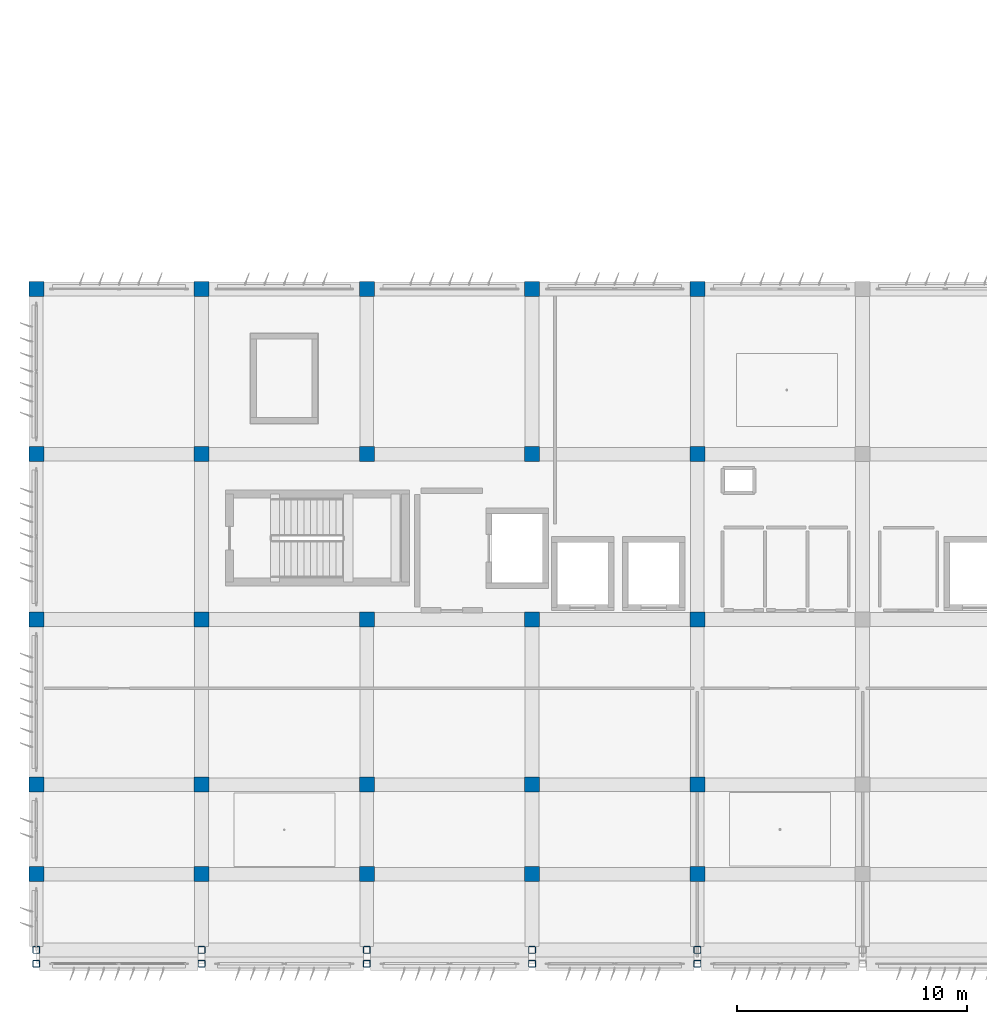
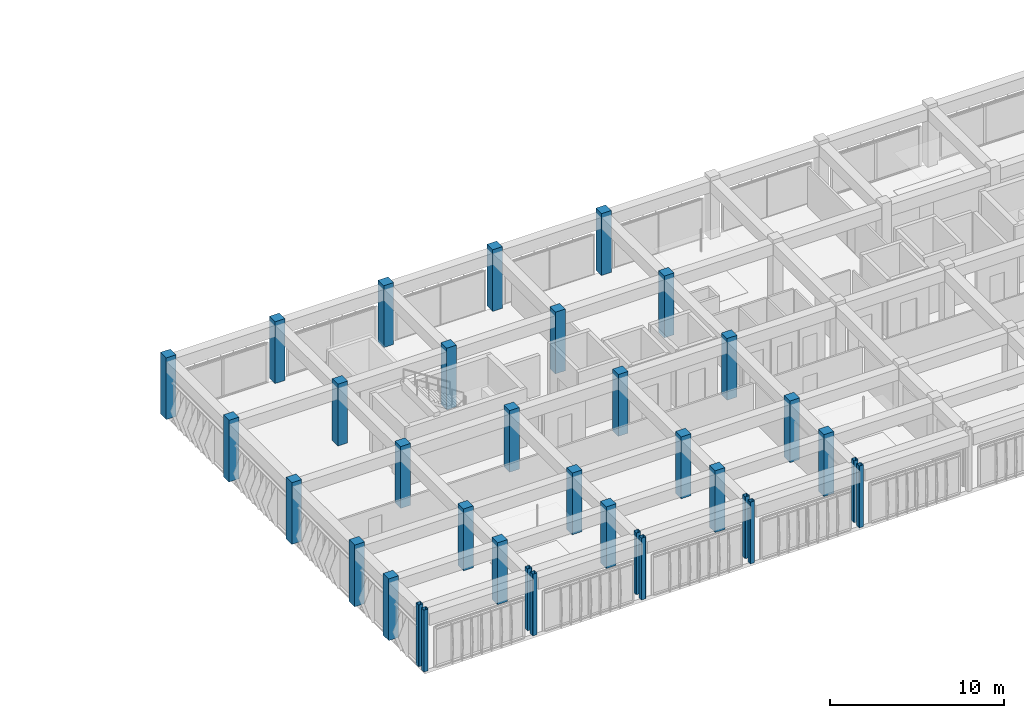
# One storey, part 1 of 53: 35 columns.
"""IFC4 building model written with IfcOpenShell, lengths in metres."""

import ifcopenshell
import ifcopenshell.guid

model = None  # the IFC model being written
_history = None  # IfcOwnerHistory: only IFC2X3 demands one
_inside = {}  # id of a spatial element -> (the spatial element, [elements in it])
_under = {}  # id of a project, library or spatial element -> (it, [spatial elements below it])
_declared = {}  # id of a project -> (the project, [libraries it declares])
_typed = {}  # id of a type object -> (the type object, [elements of that type])
_made_of = {}  # id of a material, layer set ... -> (it, [elements and type objects made of it])


def new_model(schema):
    """Start an empty IFC model of exactly this schema.

    Asked for "IFC4X3", IfcOpenShell would pick the latest addendum, in which some entities
    have other attributes; the version numbers below select the first issue.
    IFC2X3 requires an IfcOwnerHistory on every rooted entity: one is made here for all.
    """
    global model, _history
    if schema == "IFC4X3":
        model = ifcopenshell.file(schema_version=(4, 3, 0, 0))
    else:
        model = ifcopenshell.file(schema=schema)
    _inside.clear()
    _under.clear()
    _declared.clear()
    _typed.clear()
    _made_of.clear()
    _history = None
    if model.schema == "IFC2X3":
        org = make("IfcOrganization", Name="unknown")
        user = make(
            "IfcPersonAndOrganization",
            ThePerson=make("IfcPerson", FamilyName="unknown"),
            TheOrganization=org,
        )
        app = make(
            "IfcApplication",
            ApplicationDeveloper=org,
            Version="unknown",
            ApplicationFullName="unknown",
            ApplicationIdentifier="unknown",
        )
        _history = make(
            "IfcOwnerHistory",
            OwningUser=user,
            OwningApplication=app,
            ChangeAction="ADDED",
            CreationDate=0,
        )
    return model


def make(cls, **values):
    """One entity of the class cls with the attributes given. An attribute that is None is left unset."""
    return model.create_entity(
        cls, **{name: value for name, value in values.items() if value is not None}
    )


def rooted(cls, **values):
    """An entity with a GlobalId (a new one), such as an element, a storey or a relation."""
    return make(cls, GlobalId=ifcopenshell.guid.new(), OwnerHistory=_history, **values)


def si_unit(unit_type, name, prefix=None):
    """IfcSIUnit, for example si_unit("LENGTHUNIT", "METRE", prefix="MILLI")."""
    return make("IfcSIUnit", UnitType=unit_type, Prefix=prefix, Name=name)


def assignment(units):
    """IfcUnitAssignment: the units of a project."""
    return None if units is None else make("IfcUnitAssignment", Units=units)


def point(xyz):
    """IfcCartesianPoint."""
    return None if xyz is None else make("IfcCartesianPoint", Coordinates=xyz)


def direction(xyz):
    """IfcDirection."""
    return None if xyz is None else make("IfcDirection", DirectionRatios=xyz)


def frame(location, z_axis=None, x_axis=None):
    """IfcAxis2Placement3D, a coordinate frame: its origin and axes. An axis left out is left unset."""
    return make(
        "IfcAxis2Placement3D",
        Location=point(location),
        Axis=direction(z_axis),
        RefDirection=direction(x_axis),
    )


def frame_2d(location, x_axis=None):
    """IfcAxis2Placement2D, a coordinate frame in the plane: its origin and x axis."""
    return make(
        "IfcAxis2Placement2D", Location=point(location), RefDirection=direction(x_axis)
    )


def origin():
    """The frame at (0, 0, 0) with its axes left unset."""
    return frame((0.0, 0.0, 0.0))


def origin_2d():
    """The frame at (0, 0) in the plane with its x axis left unset."""
    return frame_2d((0.0, 0.0))


def place(relative_to, where):
    """IfcLocalPlacement: puts the frame where relative to a parent placement (None: the world)."""
    return make(
        "IfcLocalPlacement", PlacementRelTo=relative_to, RelativePlacement=where
    )


def context(
    kind, dimensions, precision=None, world=None, true_north=None, identifier=None
):
    """IfcGeometricRepresentationContext, for example the 3D "Model" context."""
    return make(
        "IfcGeometricRepresentationContext",
        ContextIdentifier=identifier,
        ContextType=kind,
        CoordinateSpaceDimension=dimensions,
        Precision=precision,
        WorldCoordinateSystem=world,
        TrueNorth=true_north,
    )


def subcontext(parent, identifier, kind, view, scale=None):
    """IfcGeometricRepresentationSubContext, for example "Body" below "Model"."""
    return make(
        "IfcGeometricRepresentationSubContext",
        ContextIdentifier=identifier,
        ContextType=kind,
        ParentContext=parent,
        TargetScale=scale,
        TargetView=view,
    )


def project(units=None, contexts=None):
    """IfcProject with its units and contexts."""
    return rooted(
        "IfcProject",
        Name="project",
        RepresentationContexts=contexts,
        UnitsInContext=assignment(units),
    )


def spatial(cls, under=None, at=None, **own):
    """A site, building, storey or space (cls), placed at a placement, below another one or the project."""
    s = rooted(cls, ObjectPlacement=at, **own)
    if under is not None:
        _under.setdefault(under.id(), (under, []))[1].append(s)
    return s


def profile(cls, at=None, kind="AREA", **sizes):
    """A parametric profile (cls). Its sizes go by their IFC names, for example OverallWidth=200.0."""
    return make(cls, ProfileType=kind, Position=at, **sizes)


def rectangle(**sizes):
    """IfcRectangleProfileDef."""
    return profile("IfcRectangleProfileDef", **sizes)


def hollow_rectangle(**sizes):
    """IfcRectangleHollowProfileDef."""
    return profile("IfcRectangleHollowProfileDef", **sizes)


def extrude(swept, where, along, depth):
    """IfcExtrudedAreaSolid: the profile swept, set in the frame where, extruded along a direction by depth."""
    return make(
        "IfcExtrudedAreaSolid",
        SweptArea=swept,
        Position=where,
        ExtrudedDirection=direction(along),
        Depth=depth,
    )


def shape(context_of_items, identifier, shape_type, items):
    """IfcShapeRepresentation: the items that make up one representation, for example the "Body"."""
    return make(
        "IfcShapeRepresentation",
        ContextOfItems=context_of_items,
        RepresentationIdentifier=identifier,
        RepresentationType=shape_type,
        Items=items,
    )


def material(Name=None, Category=None):
    """IfcMaterial."""
    return make("IfcMaterial", Name=Name, Category=Category)


def material_profile(
    of_material, cross_section, Name=None, Category=None, Priority=None
):
    """IfcMaterialProfile: a cross section and its material."""
    return make(
        "IfcMaterialProfile",
        Name=Name,
        Material=of_material,
        Profile=cross_section,
        Priority=Priority,
        Category=Category,
    )


def profile_set(profiles, Name=None, composite=None):
    """IfcMaterialProfileSet."""
    return make(
        "IfcMaterialProfileSet",
        Name=Name,
        MaterialProfiles=profiles,
        CompositeProfile=composite,
    )


def made_of(thing, what):
    """Note that an element or type object is made of a material, layer set ...; save() writes the relation."""
    if what is not None:
        _made_of.setdefault(what.id(), (what, []))[1].append(thing)
    return thing


def type_object(cls, material=None, **own):
    """A type object (cls), such as IfcWallType, which elements share."""
    return made_of(rooted(cls, **own), material)


def element(
    cls,
    number,
    at=None,
    inside=None,
    cuts=None,
    type_object=None,
    material=None,
    context=None,
    identifier="Body",
    shape_type=None,
    held_by="IfcProductDefinitionShape",
    body=None,
    shapes=None,
    **own,
):
    """One element of the class cls, such as IfcWall. Its Tag is "e" and its number.

    at: its placement. inside: the storey or other place that contains it. cuts: it is an
    opening in that element (IfcRelVoidsElement). A single representation is given by context,
    identifier, shape_type and body (its items); several are given by shapes. held_by: the class
    of the entity that holds the representations. save() writes the other relations.
    """
    e = rooted(cls, Tag="e%d" % number, ObjectPlacement=at, **own)
    if body is not None:
        shapes = [shape(context, identifier, shape_type, body)]
    if shapes is not None:
        e.Representation = make(held_by, Representations=shapes)
    if inside is not None:
        _inside.setdefault(inside.id(), (inside, []))[1].append(e)
    if cuts is not None:
        rooted(
            "IfcRelVoidsElement", RelatingBuildingElement=cuts, RelatedOpeningElement=e
        )
    if type_object is not None:
        _typed.setdefault(type_object.id(), (type_object, []))[1].append(e)
    return made_of(e, material)


def aggregate(whole, parts):
    """IfcRelAggregates: a whole, such as a stair, and the parts it consists of."""
    return rooted("IfcRelAggregates", RelatingObject=whole, RelatedObjects=parts)


def save(model, path):
    """Write the relations noted so far, then the file.

    IfcRelAggregates (storeys below a building ...), IfcRelContainedInSpatialStructure (elements
    in a storey), IfcRelDefinesByType, IfcRelAssociatesMaterial and IfcRelDeclares: one each for
    every whole, place, type object, material and project.
    """
    for whole, parts in _under.values():
        aggregate(whole, parts)
    for where, things in _inside.values():
        rooted(
            "IfcRelContainedInSpatialStructure",
            RelatedElements=things,
            RelatingStructure=where,
        )
    for kind, things in _typed.values():
        rooted("IfcRelDefinesByType", RelatedObjects=things, RelatingType=kind)
    for what, things in _made_of.values():
        rooted("IfcRelAssociatesMaterial", RelatedObjects=things, RelatingMaterial=what)
    for by, libraries in _declared.values():
        rooted("IfcRelDeclares", RelatingContext=by, RelatedDefinitions=libraries)
    model.write(path)


model = new_model("IFC4")

# Units and contexts
model_context = context("Model", 3, precision=1e-05, world=origin(), true_north=direction((0.0, 1.0)))
body_context = subcontext(model_context, "Body", "Model", "MODEL_VIEW")
ifc_project = project(units=[si_unit("LENGTHUNIT", "METRE"), si_unit("AREAUNIT", "SQUARE_METRE"), si_unit("VOLUMEUNIT", "CUBIC_METRE"), si_unit("PLANEANGLEUNIT", "RADIAN"), si_unit("MASSUNIT", "GRAM", prefix="KILO")], contexts=[model_context])

# Site, building, storey
site_placement = place(None, origin())
site = spatial("IfcSite", under=ifc_project, at=site_placement, CompositionType="ELEMENT")
building_placement = place(site_placement, origin())
building = spatial("IfcBuilding", under=site, at=building_placement, Name="Kazehaya Institute of Natural Sciences", CompositionType="ELEMENT")
storey_placement = place(building_placement, frame((0.0, 0.0, 33.300048828125)))
storey = spatial("IfcBuildingStorey", under=building, at=storey_placement, Name="L07", CompositionType="ELEMENT", Elevation=33.300048828125)

# Columns
ifc_material_1 = material(Name="Concrete Fc36", Category="concrete")
ifc_material_profile_1 = material_profile(ifc_material_1, rectangle(XDim=0.64990234375, YDim=0.64990234375, at=origin_2d()), Name="RC-650x650")
ifc_profile_set_1 = profile_set([ifc_material_profile_1], Name="Concrete Fc36")
column_type_1 = type_object("IfcColumnType", Name="COL-RC650", PredefinedType="COLUMN", material=ifc_profile_set_1)
for number, where, z_axis, x_axis, name in (
    (1, (54.60009765625, 10.10009765625, 0.0), (0.0, 0.0, 1.0), (1.0, 0.0, 0.0), "L07 column COL-L07-1231"),
    (2, (61.800048828125, 10.10009765625, 0.0), (0.0, 0.0, 1.0), (1.0, 0.0, 0.0), "L07 column COL-L07-1232"),
    (3, (69.0, 10.10009765625, 0.0), (0.0, 0.0, 1.0), (1.0, 0.0, 0.0), "L07 column COL-L07-1233"),
    (4, (76.199951171875, 10.10009765625, 0.0), (0.0, 0.0, 1.0), (1.0, 0.0, 0.0), "L07 column COL-L07-1234"),
    (5, (83.39990234375, 10.10009765625, 0.0), (0.0, 0.0, 1.0), (1.0, 0.0, 0.0), "L07 column COL-L07-1235"),
    (6, (54.60009765625, 14.0, 0.0), (0.0, 0.0, 1.0), (1.0, 0.0, 0.0), "L07 column COL-L07-1241"),
    (7, (61.800048828125, 14.0, 0.0), (0.0, 0.0, 1.0), (1.0, 0.0, 0.0), "L07 column COL-L07-1242"),
    (8, (69.0, 14.0, 0.0), (0.0, 0.0, 1.0), (1.0, 0.0, 0.0), "L07 column COL-L07-1243"),
    (9, (76.199951171875, 14.0, 0.0), (0.0, 0.0, 1.0), (1.0, 0.0, 0.0), "L07 column COL-L07-1244"),
    (10, (83.39990234375, 14.0, 0.0), (0.0, 0.0, 1.0), (1.0, 0.0, 0.0), "L07 column COL-L07-1245"),
    (11, (54.60009765625, 21.199951171875, 0.0), (0.0, 0.0, 1.0), (1.0, 0.0, 0.0), "L07 column COL-L07-1251"),
    (12, (61.800048828125, 21.199951171875, 0.0), (0.0, 0.0, 1.0), (1.0, 0.0, 0.0), "L07 column COL-L07-1252"),
    (13, (69.0, 21.199951171875, 0.0), (0.0, 0.0, 1.0), (1.0, 0.0, 0.0), "L07 column COL-L07-1253"),
    (14, (76.199951171875, 21.199951171875, 0.0), (0.0, 0.0, 1.0), (1.0, 0.0, 0.0), "L07 column COL-L07-1254"),
    (15, (83.39990234375, 21.199951171875, 0.0), (0.0, 0.0, 1.0), (1.0, 0.0, 0.0), "L07 column COL-L07-1255"),
    (16, (54.60009765625, 28.39990234375, 0.0), (0.0, 0.0, 1.0), (1.0, 0.0, 0.0), "L07 column COL-L07-1261"),
    (17, (61.800048828125, 28.39990234375, 0.0), (0.0, 0.0, 1.0), (1.0, 0.0, 0.0), "L07 column COL-L07-1262"),
    (18, (69.0, 28.39990234375, 0.0), (0.0, 0.0, 1.0), (1.0, 0.0, 0.0), "L07 column COL-L07-1263"),
    (19, (76.199951171875, 28.39990234375, 0.0), (0.0, 0.0, 1.0), (1.0, 0.0, 0.0), "L07 column COL-L07-1264"),
    (20, (83.39990234375, 28.39990234375, 0.0), (0.0, 0.0, 1.0), (1.0, 0.0, 0.0), "L07 column COL-L07-1265"),
    (21, (54.60009765625, 35.60009765625, 0.0), (0.0, 0.0, 1.0), (1.0, 0.0, 0.0), "L07 column COL-L07-1271"),
    (22, (61.800048828125, 35.60009765625, 0.0), (0.0, 0.0, 1.0), (1.0, 0.0, 0.0), "L07 column COL-L07-1272"),
    (23, (69.0, 35.60009765625, 0.0), (0.0, 0.0, 1.0), (1.0, 0.0, 0.0), "L07 column COL-L07-1273"),
    (24, (76.199951171875, 35.60009765625, 0.0), (0.0, 0.0, 1.0), (1.0, 0.0, 0.0), "L07 column COL-L07-1274"),
    (25, (83.39990234375, 35.60009765625, 0.0), (0.0, 0.0, 1.0), (1.0, 0.0, 0.0), "L07 column COL-L07-1275"),
):
    element("IfcColumn", number, at=place(storey_placement, frame(where, z_axis=z_axis, x_axis=x_axis)), inside=storey, type_object=column_type_1, Name=name, PredefinedType="COLUMN", context=body_context, shape_type="SweptSolid", body=[
        extrude(rectangle(XDim=0.64990234375, YDim=0.64990234375, at=origin_2d()), origin(), (0.0, 0.0, 1.0), 4.320068359375),
    ])
ifc_material_2 = material(Name="Structural steel BCR295", Category="steel")
ifc_material_profile_2 = material_profile(ifc_material_2, hollow_rectangle(XDim=0.300048828125, YDim=0.300048828125, WallThickness=0.011962890625, InnerFilletRadius=0.01806640625, OuterFilletRadius=0.030029296875, at=origin_2d()), Name="BCR-300x300x12")
ifc_profile_set_2 = profile_set([ifc_material_profile_2], Name="Structural steel BCR295")
column_type_2 = type_object("IfcColumnType", Name="COL-STL-BCR300", PredefinedType="COLUMN", material=ifc_profile_set_2)
for number, where, z_axis, x_axis, name in (
    (26, (54.60009765625, 6.199951171875, 0.0), (0.0, 0.0, 1.0), (1.0, 0.0, 0.0), "L07 column COL-L07-1211"),
    (27, (61.800048828125, 6.199951171875, 0.0), (0.0, 0.0, 1.0), (1.0, 0.0, 0.0), "L07 column COL-L07-1212"),
    (28, (69.0, 6.199951171875, 0.0), (0.0, 0.0, 1.0), (1.0, 0.0, 0.0), "L07 column COL-L07-1213"),
    (29, (76.199951171875, 6.199951171875, 0.0), (0.0, 0.0, 1.0), (1.0, 0.0, 0.0), "L07 column COL-L07-1214"),
    (30, (83.39990234375, 6.199951171875, 0.0), (0.0, 0.0, 1.0), (1.0, 0.0, 0.0), "L07 column COL-L07-1215"),
    (31, (54.60009765625, 6.800048828125, 0.0), (0.0, 0.0, 1.0), (1.0, 0.0, 0.0), "L07 column COL-L07-1221"),
    (32, (61.800048828125, 6.800048828125, 0.0), (0.0, 0.0, 1.0), (1.0, 0.0, 0.0), "L07 column COL-L07-1222"),
    (33, (69.0, 6.800048828125, 0.0), (0.0, 0.0, 1.0), (1.0, 0.0, 0.0), "L07 column COL-L07-1223"),
    (34, (76.199951171875, 6.800048828125, 0.0), (0.0, 0.0, 1.0), (1.0, 0.0, 0.0), "L07 column COL-L07-1224"),
    (35, (83.39990234375, 6.800048828125, 0.0), (0.0, 0.0, 1.0), (1.0, 0.0, 0.0), "L07 column COL-L07-1225"),
):
    element("IfcColumn", number, at=place(storey_placement, frame(where, z_axis=z_axis, x_axis=x_axis)), inside=storey, type_object=column_type_2, Name=name, PredefinedType="COLUMN", context=body_context, shape_type="SweptSolid", body=[
        extrude(hollow_rectangle(XDim=0.300048828125, YDim=0.300048828125, WallThickness=0.011962890625, InnerFilletRadius=0.01806640625, OuterFilletRadius=0.030029296875, at=origin_2d()), origin(), (0.0, 0.0, 1.0), 4.320068359375),
    ])

save(model, "model.ifc")
